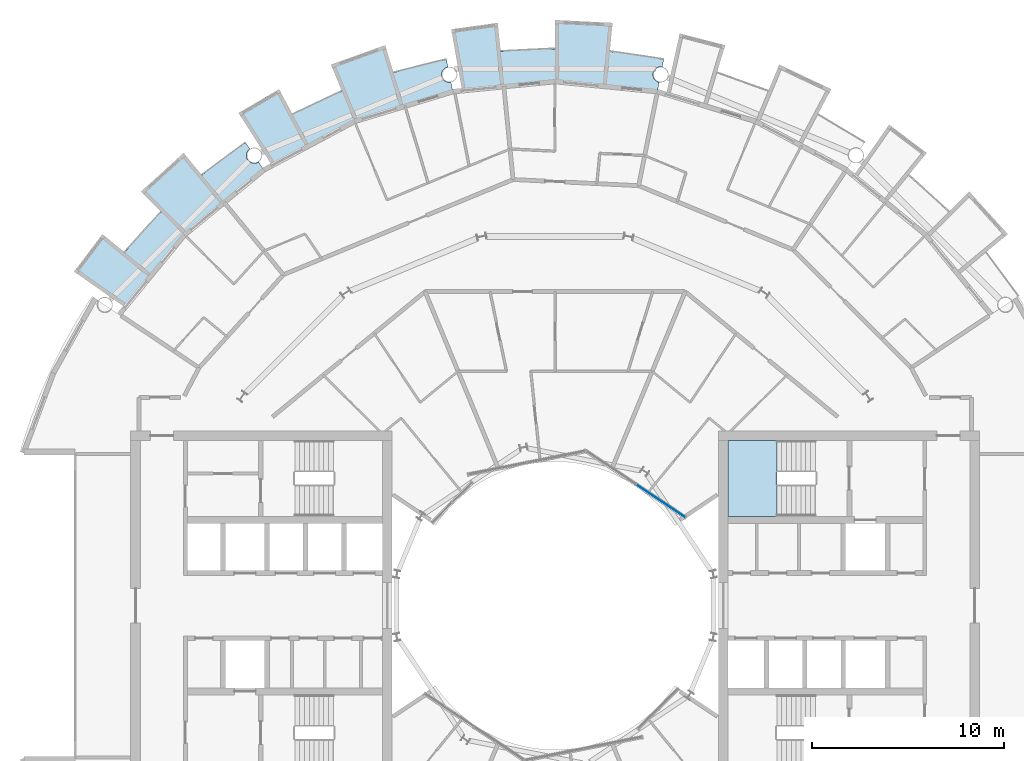
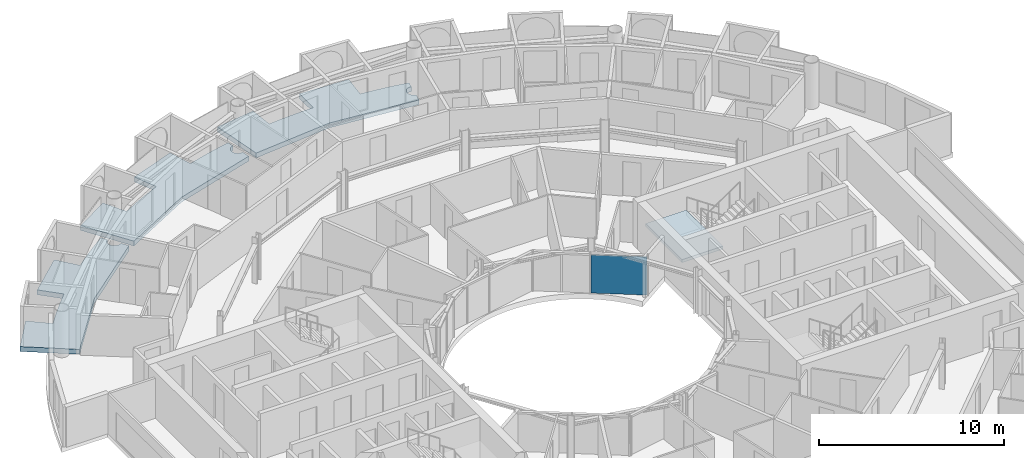
# One storey, part 12 of 26: 4 slabs, 1 plate, 2 elements without a shape of their own.
"""IFC4 building model written with IfcOpenShell, lengths in metres."""

from ifc_helpers import new_model, si_unit, direction, frame, origin, origin_2d, place, context, subcontext, project, spatial, polyline, rectangle, outline, extrude, material, layer, layer_set, type_object, element, aggregate, save


model = new_model("IFC4")

# Units and contexts
model_context = context("Model", 3, precision=1e-05, world=origin(), true_north=direction((0.0, 1.0)))
body_context = subcontext(model_context, "Body", "Model", "MODEL_VIEW")
ifc_project = project(units=[si_unit("LENGTHUNIT", "METRE"), si_unit("AREAUNIT", "SQUARE_METRE"), si_unit("VOLUMEUNIT", "CUBIC_METRE"), si_unit("PLANEANGLEUNIT", "RADIAN"), si_unit("MASSUNIT", "GRAM", prefix="KILO")], contexts=[model_context])

# Site, building, storey
site_placement = place(None, origin())
site = spatial("IfcSite", under=ifc_project, at=site_placement, CompositionType="ELEMENT")
building_placement = place(site_placement, origin())
building = spatial("IfcBuilding", under=site, at=building_placement, Name="Maasbend Ring Residences", CompositionType="ELEMENT")
storey_placement = place(building_placement, frame((0.0, 0.0, 176.85009765625)))
storey = spatial("IfcBuildingStorey", under=building, at=storey_placement, Name="L51", CompositionType="ELEMENT", Elevation=176.85009765625)

# Stair, slab
ifc_material_1 = material(Name="Concrete C40/50", Category="concrete")
stair_type = type_object("IfcStairType", Name="CORE STAIR 18 RISERS", PredefinedType="HALF_TURN_STAIR", material=ifc_material_1)
stair_placement = place(storey_placement, origin())
stair = element("IfcStair", 1, at=stair_placement, inside=storey, type_object=stair_type, Name="L51 Exit stair ST-E1", PredefinedType="HALF_TURN_STAIR")
ifc_material_2 = material(Name="Concrete C40/50", Category="concrete")
ifc_layer_1 = layer(ifc_material_2, 0.199951171875)
ifc_layer_set_1 = layer_set([ifc_layer_1], Name="Concrete C40/50")
slab_type_1 = type_object("IfcSlabType", Name="CORE STAIR LANDING 200", PredefinedType="LANDING", material=ifc_layer_set_1)
slab_1_placement = place(storey_placement, frame((0.0, 0.0, 1.324951171875)))
slab_1 = element("IfcSlab", 2, at=slab_1_placement, type_object=slab_type_1, Name="ST-E1 landing 1", PredefinedType="LANDING", context=body_context, shape_type="SweptSolid", body=[
    extrude(outline(polyline([(11.550048828125, 8.60009765625), (9.0, 8.60009765625), (9.0, 4.64990234375), (11.550048828125, 4.64990234375), (11.550048828125, 8.60009765625)])), origin(), (0.0, 0.0, 1.0), 0.199951171875),
])
aggregate(stair, [slab_1])

# Curtain wall, plate
ifc_material_3 = material(Name="Aluminium and clear glass", Category="aluminium")
ifc_layer_2 = layer(ifc_material_3, 0.179931640625)
ifc_layer_set_2 = layer_set([ifc_layer_2], Name="CW-W")
curtain_wall_type = type_object("IfcCurtainWallType", Name="CW-W", PredefinedType="NOTDEFINED", material=ifc_layer_set_2)
curtain_wall_placement = place(storey_placement, origin())
curtain_wall = element("IfcCurtainWall", 3, at=curtain_wall_placement, inside=storey, type_object=curtain_wall_type, Name="Well curtain wall N1", PredefinedType="NOTDEFINED")
ifc_material_4 = material(Name="Glass clear laminated", Category="glass")
ifc_layer_3 = layer(ifc_material_4, 0.031982421875)
ifc_layer_set_3 = layer_set([ifc_layer_3], Name="CWP-W")
plate_type = type_object("IfcPlateType", Name="CWP-W", PredefinedType="CURTAIN_PANEL", material=ifc_layer_set_3)
plate_placement = place(storey_placement, frame((5.51123046875, 5.44580078125, 0.0), z_axis=(0.0, 0.0, 1.0), x_axis=(-0.831469612303, 0.55557023302, 0.0)))
plate = element("IfcPlate", 4, at=plate_placement, type_object=plate_type, Name="Glass panel well face", PredefinedType="CURTAIN_PANEL", context=body_context, shape_type="SweptSolid", body=[
    extrude(rectangle(XDim=3.053955078125, YDim=0.031982421875, at=origin_2d()), origin(), (0.0, 0.0, 1.0), 2.530029296875),
])
aggregate(curtain_wall, [plate])

# Slabs
ifc_material_5 = material(Name="Concrete C40/50", Category="concrete")
ifc_layer_4 = layer(ifc_material_5, 0.199951171875)
ifc_layer_set_4 = layer_set([ifc_layer_4], Name="Concrete C40/50")
slab_type_2 = type_object("IfcSlabType", Name="SL-LOGGIA", PredefinedType="FLOOR", material=ifc_layer_set_4)
slab_2_placement = place(storey_placement, frame((0.0, 0.0, -0.35009765625)))
element("IfcSlab", 5, at=slab_2_placement, inside=storey, type_object=slab_type_2, Name="Loggia floor 2", PredefinedType="FLOOR", context=body_context, shape_type="SweptSolid", body=[
    extrude(outline(polyline([(-13.6708984375, 25.575927734375), (-13.6708984375, 25.575927734375), (-13.6708984375, 25.575927734375), (-13.6708984375, 25.575927734375), (-13.6708984375, 25.575927734375), (-13.6708984375, 25.575927734375), (-13.6708984375, 25.575927734375), (-13.669921875, 25.575927734375), (-13.669921875, 25.575927734375), (-13.669921875, 25.575927734375), (-13.669921875, 25.575927734375), (-13.669921875, 25.575927734375), (-13.669921875, 25.575927734375), (-13.669921875, 25.575927734375), (-13.669921875, 25.575927734375), (-13.669921875, 25.575927734375), (-13.669921875, 25.575927734375), (-12.825927734375, 26.009033203125), (-12.825927734375, 26.009033203125), (-11.968994140625, 26.4150390625), (-11.968994140625, 26.4150390625), (-11.097900390625, 26.7919921875), (-11.097900390625, 26.7919921875), (-11.097900390625, 26.7919921875), (-11.097900390625, 26.7919921875), (-11.097900390625, 26.7919921875), (-11.097900390625, 26.7919921875), (-11.097900390625, 26.7919921875), (-11.097900390625, 26.79296875), (-11.097900390625, 26.79296875), (-11.097900390625, 26.79296875), (-11.097900390625, 26.79296875), (-11.097900390625, 26.79296875), (-11.097900390625, 26.79296875), (-11.097900390625, 26.79296875), (-11.097900390625, 26.79296875), (-11.097900390625, 26.79296875), (-11.097900390625, 26.79296875), (-11.672119140625, 28.177978515625), (-11.672119140625, 28.177978515625), (-11.672119140625, 28.177978515625), (-8.85400390625, 29.18701171875), (-8.85400390625, 29.18701171875), (-8.85400390625, 29.18701171875), (-8.41796875, 27.751953125), (-8.41796875, 27.751953125), (-8.41796875, 27.751953125), (-8.41796875, 27.751953125), (-8.41796875, 27.751953125), (-8.41796875, 27.751953125), (-8.41796875, 27.751953125), (-8.41796875, 27.7509765625), (-8.41796875, 27.7509765625), (-8.41796875, 27.7509765625), (-8.41796875, 27.7509765625), (-8.41796875, 27.7509765625), (-8.41796875, 27.7509765625), (-8.41796875, 27.7509765625), (-8.41796875, 27.7509765625), (-8.41796875, 27.7509765625), (-8.41796875, 27.7509765625), (-7.506103515625, 28.011962890625), (-7.506103515625, 28.011962890625), (-6.5849609375, 28.241943359375), (-6.5849609375, 28.241943359375), (-5.657958984375, 28.443115234375), (-5.657958984375, 28.443115234375), (-5.657958984375, 28.443115234375), (-5.5810546875, 28.056884765625), (-5.591064453125, 28.054931640625), (-5.60009765625, 28.052001953125), (-5.610107421875, 28.050048828125), (-5.6201171875, 28.047119140625), (-5.62890625, 28.0439453125), (-5.637939453125, 28.041015625), (-5.64794921875, 28.037109375), (-5.656982421875, 28.033935546875), (-5.666015625, 28.030029296875), (-5.675048828125, 28.02587890625), (-5.68408203125, 28.02099609375), (-5.693115234375, 28.01708984375), (-5.701904296875, 28.011962890625), (-5.7099609375, 28.007080078125), (-5.718994140625, 28.001953125), (-5.72705078125, 27.99609375), (-5.736083984375, 27.989990234375), (-5.743896484375, 27.985107421875), (-5.751953125, 27.97900390625), (-5.759033203125, 27.971923828125), (-5.76708984375, 27.966064453125), (-5.77392578125, 27.958984375), (-5.781982421875, 27.952880859375), (-5.7890625, 27.946044921875), (-5.7958984375, 27.93798828125), (-5.802978515625, 27.930908203125), (-5.80908203125, 27.924072265625), (-5.81591796875, 27.916015625), (-5.822021484375, 27.907958984375), (-5.827880859375, 27.89990234375), (-5.833984375, 27.89208984375), (-5.839111328125, 27.884033203125), (-5.844970703125, 27.8759765625), (-5.85009765625, 27.866943359375), (-5.85498046875, 27.85791015625), (-5.860107421875, 27.85009765625), (-5.864990234375, 27.841064453125), (-5.868896484375, 27.83203125), (-5.873046875, 27.822998046875), (-5.876953125, 27.81396484375), (-5.881103515625, 27.803955078125), (-5.884033203125, 27.794921875), (-5.886962890625, 27.785888671875), (-5.889892578125, 27.77587890625), (-5.89306640625, 27.76708984375), (-5.89599609375, 27.757080078125), (-5.89794921875, 27.7470703125), (-5.89990234375, 27.737060546875), (-5.902099609375, 27.72802734375), (-5.904052734375, 27.718017578125), (-5.905029296875, 27.7080078125), (-5.906005859375, 27.697998046875), (-5.906982421875, 27.68798828125), (-5.907958984375, 27.677978515625), (-5.907958984375, 27.66796875), (-5.907958984375, 27.657958984375), (-5.907958984375, 27.64794921875), (-5.907958984375, 27.637939453125), (-5.906982421875, 27.6279296875), (-5.906005859375, 27.617919921875), (-5.905029296875, 27.60791015625), (-5.904052734375, 27.597900390625), (-5.902099609375, 27.589111328125), (-5.89990234375, 27.5791015625), (-5.89794921875, 27.569091796875), (-5.89599609375, 27.55908203125), (-5.89306640625, 27.550048828125), (-5.889892578125, 27.5400390625), (-5.886962890625, 27.531005859375), (-5.884033203125, 27.52099609375), (-5.881103515625, 27.511962890625), (-5.876953125, 27.5029296875), (-5.873046875, 27.492919921875), (-5.868896484375, 27.48388671875), (-5.864990234375, 27.47509765625), (-5.860107421875, 27.466064453125), (-5.85498046875, 27.4580078125), (-5.85009765625, 27.448974609375), (-5.844970703125, 27.44091796875), (-5.839111328125, 27.431884765625), (-5.833984375, 27.424072265625), (-5.827880859375, 27.416015625), (-5.822021484375, 27.407958984375), (-5.81591796875, 27.39990234375), (-5.80908203125, 27.39306640625), (-5.802978515625, 27.385009765625), (-5.7958984375, 27.3779296875), (-5.7890625, 27.37109375), (-5.781982421875, 27.364013671875), (-5.77392578125, 27.35693359375), (-5.76708984375, 27.35009765625), (-5.759033203125, 27.343994140625), (-5.751953125, 27.337890625), (-5.743896484375, 27.33203125), (-5.736083984375, 27.325927734375), (-5.72705078125, 27.320068359375), (-5.718994140625, 27.31494140625), (-5.7099609375, 27.30908203125), (-5.701904296875, 27.303955078125), (-5.693115234375, 27.300048828125), (-5.68408203125, 27.294921875), (-5.675048828125, 27.291015625), (-5.666015625, 27.285888671875), (-5.656982421875, 27.282958984375), (-5.64794921875, 27.279052734375), (-5.637939453125, 27.27490234375), (-5.62890625, 27.27197265625), (-5.6201171875, 27.26904296875), (-5.610107421875, 27.26611328125), (-5.60009765625, 27.263916015625), (-5.591064453125, 27.260986328125), (-5.5810546875, 27.259033203125), (-5.571044921875, 27.258056640625), (-5.56103515625, 27.256103515625), (-5.551025390625, 27.2548828125), (-5.541015625, 27.25390625), (-5.531005859375, 27.2529296875), (-5.52099609375, 27.251953125), (-5.510986328125, 27.251953125), (-5.501953125, 27.251953125), (-5.491943359375, 27.251953125), (-5.48193359375, 27.251953125), (-5.471923828125, 27.2529296875), (-5.4619140625, 27.25390625), (-5.451904296875, 27.2548828125), (-5.44189453125, 27.256103515625), (-5.431884765625, 27.258056640625), (-5.422119140625, 27.259033203125), (-5.325927734375, 26.77490234375), (-5.325927734375, 26.77490234375), (-5.325927734375, 26.77490234375), (-7.886962890625, 25.9990234375), (-10.447021484375, 25.221923828125), (-10.447021484375, 25.221923828125), (-10.447021484375, 25.221923828125), (-12.806884765625, 23.9609375), (-14.73291015625, 22.930908203125), (-14.73291015625, 22.930908203125), (-14.73291015625, 22.930908203125), (-16.487060546875, 25.659912109375), (-16.487060546875, 25.659912109375), (-16.487060546875, 25.659912109375), (-14.3779296875, 26.89892578125), (-14.3779296875, 26.89892578125), (-14.3779296875, 26.89892578125), (-13.6708984375, 25.575927734375)])), origin(), (0.0, 0.0, 1.0), 0.320068359375),
])
slab_3_placement = place(storey_placement, frame((0.0, 0.0, -0.35009765625)))
element("IfcSlab", 6, at=slab_3_placement, inside=storey, type_object=slab_type_2, Name="Loggia floor 3", PredefinedType="FLOOR", context=body_context, shape_type="SweptSolid", body=[
    extrude(outline(polyline([(-2.843017578125, 28.861083984375), (-2.843017578125, 28.861083984375), (-2.843017578125, 28.861083984375), (-2.843017578125, 28.861083984375), (-2.842041015625, 28.861083984375), (-2.842041015625, 28.861083984375), (-2.842041015625, 28.861083984375), (-2.842041015625, 28.861083984375), (-2.842041015625, 28.861083984375), (-2.842041015625, 28.860107421875), (-2.842041015625, 28.860107421875), (-2.842041015625, 28.860107421875), (-2.842041015625, 28.860107421875), (-2.842041015625, 28.860107421875), (-2.842041015625, 28.860107421875), (-2.842041015625, 28.860107421875), (-2.842041015625, 28.860107421875), (-1.89697265625, 28.93798828125), (-1.89697265625, 28.93798828125), (-0.948974609375, 28.98388671875), (-0.948974609375, 28.98388671875), (0.0, 29.0), (0.0, 29.0), (0.0, 29.0), (0.0, 29.0), (0.0, 29.0), (0.0, 29.0), (0.0, 29.0), (0.0, 29.0), (0.0, 29.0), (0.0, 29.0), (0.0, 29.0), (0.0, 29.0), (0.0, 29.0), (0.0, 29.0), (0.0, 29.0), (0.0, 29.0), (0.0, 29.0), (0.0, 30.5), (0.0, 30.5), (0.0, 30.5), (2.989990234375, 30.35302734375), (2.989990234375, 30.35302734375), (2.989990234375, 30.35302734375), (2.843017578125, 28.861083984375), (2.843017578125, 28.861083984375), (2.843017578125, 28.861083984375), (2.843017578125, 28.861083984375), (2.843017578125, 28.861083984375), (2.843017578125, 28.861083984375), (2.843017578125, 28.861083984375), (2.843017578125, 28.861083984375), (2.843017578125, 28.860107421875), (2.843017578125, 28.860107421875), (2.843017578125, 28.860107421875), (2.843017578125, 28.860107421875), (2.843017578125, 28.860107421875), (2.843017578125, 28.860107421875), (2.843017578125, 28.860107421875), (2.843017578125, 28.860107421875), (2.843017578125, 28.860107421875), (3.784912109375, 28.751953125), (3.784912109375, 28.751953125), (4.72412109375, 28.613037109375), (4.72412109375, 28.613037109375), (5.657958984375, 28.443115234375), (5.657958984375, 28.443115234375), (5.657958984375, 28.443115234375), (5.5810546875, 28.056884765625), (5.5810546875, 28.056884765625), (5.571044921875, 28.05908203125), (5.56103515625, 28.06005859375), (5.551025390625, 28.06201171875), (5.541015625, 28.06298828125), (5.531005859375, 28.06298828125), (5.52099609375, 28.06396484375), (5.510986328125, 28.06396484375), (5.501953125, 28.06494140625), (5.491943359375, 28.06396484375), (5.48193359375, 28.06396484375), (5.471923828125, 28.06298828125), (5.4619140625, 28.06298828125), (5.451904296875, 28.06201171875), (5.44189453125, 28.06005859375), (5.431884765625, 28.05908203125), (5.422119140625, 28.056884765625), (5.412109375, 28.054931640625), (5.403076171875, 28.052001953125), (5.39306640625, 28.050048828125), (5.383056640625, 28.047119140625), (5.3740234375, 28.0439453125), (5.364990234375, 28.041015625), (5.35498046875, 28.037109375), (5.345947265625, 28.033935546875), (5.3369140625, 28.030029296875), (5.327880859375, 28.02587890625), (5.319091796875, 28.02099609375), (5.31005859375, 28.01708984375), (5.301025390625, 28.011962890625), (5.29296875, 28.007080078125), (5.283935546875, 28.001953125), (5.27587890625, 27.99609375), (5.26708984375, 27.989990234375), (5.259033203125, 27.985107421875), (5.2509765625, 27.97900390625), (5.243896484375, 27.971923828125), (5.236083984375, 27.966064453125), (5.22900390625, 27.958984375), (5.220947265625, 27.952880859375), (5.214111328125, 27.946044921875), (5.20703125, 27.93798828125), (5.199951171875, 27.930908203125), (5.194091796875, 27.924072265625), (5.18701171875, 27.916015625), (5.180908203125, 27.907958984375), (5.175048828125, 27.89990234375), (5.1689453125, 27.89208984375), (5.1640625, 27.884033203125), (5.157958984375, 27.8759765625), (5.153076171875, 27.866943359375), (5.14794921875, 27.85791015625), (5.14306640625, 27.85009765625), (5.137939453125, 27.841064453125), (5.134033203125, 27.83203125), (5.1298828125, 27.822998046875), (5.1259765625, 27.81396484375), (5.1220703125, 27.803955078125), (5.118896484375, 27.794921875), (5.115966796875, 27.785888671875), (5.113037109375, 27.77587890625), (5.110107421875, 27.76708984375), (5.10693359375, 27.757080078125), (5.10498046875, 27.7470703125), (5.10302734375, 27.737060546875), (5.10107421875, 27.72802734375), (5.09912109375, 27.718017578125), (5.097900390625, 27.7080078125), (5.096923828125, 27.697998046875), (5.095947265625, 27.68798828125), (5.094970703125, 27.677978515625), (5.094970703125, 27.66796875), (5.094970703125, 27.657958984375), (5.094970703125, 27.64794921875), (5.094970703125, 27.637939453125), (5.095947265625, 27.6279296875), (5.096923828125, 27.617919921875), (5.097900390625, 27.60791015625), (5.09912109375, 27.597900390625), (5.10107421875, 27.589111328125), (5.10302734375, 27.5791015625), (5.10498046875, 27.569091796875), (5.10693359375, 27.55908203125), (5.110107421875, 27.550048828125), (5.113037109375, 27.5400390625), (5.115966796875, 27.531005859375), (5.118896484375, 27.52099609375), (5.1220703125, 27.511962890625), (5.1259765625, 27.5029296875), (5.1298828125, 27.492919921875), (5.134033203125, 27.48388671875), (5.137939453125, 27.47509765625), (5.14306640625, 27.466064453125), (5.14794921875, 27.4580078125), (5.153076171875, 27.448974609375), (5.157958984375, 27.44091796875), (5.1640625, 27.431884765625), (5.1689453125, 27.424072265625), (5.175048828125, 27.416015625), (5.180908203125, 27.407958984375), (5.18701171875, 27.39990234375), (5.194091796875, 27.39306640625), (5.199951171875, 27.385009765625), (5.20703125, 27.3779296875), (5.214111328125, 27.37109375), (5.220947265625, 27.364013671875), (5.22900390625, 27.35693359375), (5.236083984375, 27.35009765625), (5.243896484375, 27.343994140625), (5.2509765625, 27.337890625), (5.259033203125, 27.33203125), (5.26708984375, 27.325927734375), (5.27587890625, 27.320068359375), (5.283935546875, 27.31494140625), (5.29296875, 27.30908203125), (5.301025390625, 27.303955078125), (5.31005859375, 27.300048828125), (5.319091796875, 27.294921875), (5.327880859375, 27.291015625), (5.3369140625, 27.285888671875), (5.345947265625, 27.282958984375), (5.35498046875, 27.279052734375), (5.364990234375, 27.27490234375), (5.3740234375, 27.27197265625), (5.383056640625, 27.26904296875), (5.39306640625, 27.26611328125), (5.403076171875, 27.263916015625), (5.412109375, 27.260986328125), (5.422119140625, 27.259033203125), (5.422119140625, 27.259033203125), (5.325927734375, 26.77490234375), (5.325927734375, 26.77490234375), (5.325927734375, 26.77490234375), (2.6630859375, 27.0380859375), (0.0, 27.300048828125), (0.0, 27.300048828125), (0.0, 27.300048828125), (-2.6630859375, 27.0380859375), (-4.8359375, 26.823974609375), (-4.8359375, 26.823974609375), (-4.8359375, 26.823974609375), (-5.412109375, 30.01611328125), (-5.412109375, 30.01611328125), (-5.412109375, 30.01611328125), (-2.989990234375, 30.35302734375), (-2.989990234375, 30.35302734375), (-2.989990234375, 30.35302734375), (-2.843017578125, 28.861083984375)])), origin(), (0.0, 0.0, 1.0), 0.320068359375),
])
slab_4_placement = place(storey_placement, frame((0.0, 0.0, -0.35009765625)))
element("IfcSlab", 7, at=slab_4_placement, inside=storey, type_object=slab_type_2, Name="Loggia floor 5", PredefinedType="FLOOR", context=body_context, shape_type="SweptSolid", body=[
    extrude(outline(polyline([(-22.41796875, 18.39794921875), (-22.41796875, 18.39794921875), (-22.41796875, 18.39794921875), (-22.41796875, 18.39794921875), (-22.41796875, 18.39794921875), (-22.4169921875, 18.39794921875), (-22.4169921875, 18.39794921875), (-22.4169921875, 18.39794921875), (-22.4169921875, 18.39794921875), (-22.4169921875, 18.39794921875), (-22.4169921875, 18.39794921875), (-22.4169921875, 18.39794921875), (-22.4169921875, 18.39794921875), (-22.4169921875, 18.39794921875), (-22.4169921875, 18.39794921875), (-22.4169921875, 18.39794921875), (-22.4169921875, 18.39794921875), (-21.802978515625, 19.12109375), (-21.802978515625, 19.12109375), (-21.166015625, 19.823974609375), (-21.166015625, 19.823974609375), (-20.506103515625, 20.506103515625), (-20.506103515625, 20.506103515625), (-20.506103515625, 20.506103515625), (-20.506103515625, 20.506103515625), (-20.506103515625, 20.506103515625), (-20.506103515625, 20.506103515625), (-20.506103515625, 20.506103515625), (-20.506103515625, 20.506103515625), (-20.506103515625, 20.506103515625), (-20.506103515625, 20.506103515625), (-20.506103515625, 20.506103515625), (-20.506103515625, 20.506103515625), (-20.506103515625, 20.506103515625), (-20.506103515625, 20.506103515625), (-20.506103515625, 20.506103515625), (-20.506103515625, 20.506103515625), (-20.506103515625, 20.506103515625), (-21.56689453125, 21.56689453125), (-21.56689453125, 21.56689453125), (-21.56689453125, 21.56689453125), (-19.34912109375, 23.576904296875), (-19.34912109375, 23.576904296875), (-19.34912109375, 23.576904296875), (-18.39794921875, 22.41796875), (-18.39794921875, 22.41796875), (-18.39794921875, 22.41796875), (-18.39794921875, 22.41796875), (-18.39794921875, 22.41796875), (-18.39794921875, 22.41796875), (-18.39697265625, 22.41796875), (-18.39697265625, 22.41796875), (-18.39697265625, 22.41796875), (-18.39697265625, 22.41796875), (-18.39697265625, 22.41796875), (-18.39697265625, 22.41796875), (-18.39697265625, 22.41796875), (-18.39697265625, 22.41796875), (-18.39697265625, 22.41796875), (-18.39697265625, 22.41796875), (-18.39697265625, 22.41796875), (-17.654052734375, 23.007080078125), (-17.654052734375, 23.007080078125), (-16.89208984375, 23.572998046875), (-16.89208984375, 23.572998046875), (-16.112060546875, 24.113037109375), (-16.112060546875, 24.113037109375), (-16.112060546875, 24.113037109375), (-15.89306640625, 23.784912109375), (-15.89306640625, 23.784912109375), (-15.90087890625, 23.780029296875), (-15.908935546875, 23.77392578125), (-15.9169921875, 23.76806640625), (-15.925048828125, 23.761962890625), (-15.93310546875, 23.7548828125), (-15.93994140625, 23.7490234375), (-15.947021484375, 23.741943359375), (-15.955078125, 23.735107421875), (-15.9619140625, 23.72802734375), (-15.968017578125, 23.719970703125), (-15.97509765625, 23.712890625), (-15.98095703125, 23.705078125), (-15.988037109375, 23.697021484375), (-15.993896484375, 23.68994140625), (-15.9990234375, 23.680908203125), (-16.0048828125, 23.673095703125), (-16.010986328125, 23.6650390625), (-16.01611328125, 23.656005859375), (-16.02099609375, 23.64794921875), (-16.02587890625, 23.638916015625), (-16.030029296875, 23.6298828125), (-16.034912109375, 23.62109375), (-16.0390625, 23.612060546875), (-16.04296875, 23.60302734375), (-16.0458984375, 23.593994140625), (-16.050048828125, 23.583984375), (-16.052978515625, 23.574951171875), (-16.055908203125, 23.56494140625), (-16.05908203125, 23.555908203125), (-16.06103515625, 23.5458984375), (-16.06396484375, 23.535888671875), (-16.06591796875, 23.527099609375), (-16.068115234375, 23.51708984375), (-16.069091796875, 23.507080078125), (-16.071044921875, 23.4970703125), (-16.072021484375, 23.487060546875), (-16.072021484375, 23.47705078125), (-16.072998046875, 23.467041015625), (-16.072998046875, 23.45703125), (-16.073974609375, 23.447021484375), (-16.072998046875, 23.43701171875), (-16.072998046875, 23.427001953125), (-16.072021484375, 23.4169921875), (-16.072021484375, 23.407958984375), (-16.071044921875, 23.39794921875), (-16.069091796875, 23.387939453125), (-16.068115234375, 23.3779296875), (-16.06591796875, 23.367919921875), (-16.06396484375, 23.35791015625), (-16.06103515625, 23.34912109375), (-16.05908203125, 23.339111328125), (-16.055908203125, 23.3291015625), (-16.052978515625, 23.320068359375), (-16.050048828125, 23.31005859375), (-16.0458984375, 23.301025390625), (-16.04296875, 23.2919921875), (-16.0390625, 23.282958984375), (-16.034912109375, 23.27392578125), (-16.030029296875, 23.264892578125), (-16.02587890625, 23.256103515625), (-16.02099609375, 23.2470703125), (-16.01611328125, 23.238037109375), (-16.010986328125, 23.22998046875), (-16.0048828125, 23.221923828125), (-15.9990234375, 23.212890625), (-15.993896484375, 23.205078125), (-15.988037109375, 23.197021484375), (-15.98095703125, 23.18994140625), (-15.97509765625, 23.181884765625), (-15.968017578125, 23.174072265625), (-15.9619140625, 23.1669921875), (-15.955078125, 23.159912109375), (-15.947021484375, 23.153076171875), (-15.93994140625, 23.14599609375), (-15.93310546875, 23.139892578125), (-15.925048828125, 23.133056640625), (-15.9169921875, 23.126953125), (-15.908935546875, 23.12109375), (-15.90087890625, 23.114990234375), (-15.89306640625, 23.10888671875), (-15.885009765625, 23.10400390625), (-15.8759765625, 23.09912109375), (-15.866943359375, 23.093994140625), (-15.85888671875, 23.089111328125), (-15.85009765625, 23.083984375), (-15.841064453125, 23.080078125), (-15.83203125, 23.075927734375), (-15.822998046875, 23.072021484375), (-15.81298828125, 23.068115234375), (-15.803955078125, 23.06494140625), (-15.794921875, 23.06103515625), (-15.784912109375, 23.05810546875), (-15.77587890625, 23.055908203125), (-15.76611328125, 23.052978515625), (-15.756103515625, 23.051025390625), (-15.74609375, 23.049072265625), (-15.737060546875, 23.047119140625), (-15.72705078125, 23.044921875), (-15.717041015625, 23.0439453125), (-15.70703125, 23.04296875), (-15.697021484375, 23.0419921875), (-15.68701171875, 23.041015625), (-15.677001953125, 23.041015625), (-15.6669921875, 23.041015625), (-15.656982421875, 23.041015625), (-15.64697265625, 23.041015625), (-15.636962890625, 23.0419921875), (-15.626953125, 23.04296875), (-15.616943359375, 23.0439453125), (-15.60693359375, 23.044921875), (-15.597900390625, 23.047119140625), (-15.587890625, 23.049072265625), (-15.577880859375, 23.051025390625), (-15.568115234375, 23.052978515625), (-15.55908203125, 23.055908203125), (-15.549072265625, 23.05810546875), (-15.5400390625, 23.06103515625), (-15.530029296875, 23.06494140625), (-15.52099609375, 23.068115234375), (-15.511962890625, 23.072021484375), (-15.501953125, 23.075927734375), (-15.492919921875, 23.080078125), (-15.48388671875, 23.083984375), (-15.47509765625, 23.089111328125), (-15.467041015625, 23.093994140625), (-15.4580078125, 23.09912109375), (-15.449951171875, 23.10400390625), (-15.44091796875, 23.10888671875), (-15.44091796875, 23.10888671875), (-15.1669921875, 22.698974609375), (-15.1669921875, 22.698974609375), (-15.1669921875, 22.698974609375), (-17.236083984375, 21.001953125), (-19.303955078125, 19.303955078125), (-19.303955078125, 19.303955078125), (-19.303955078125, 19.303955078125), (-21.001953125, 17.236083984375), (-22.386962890625, 15.547119140625), (-22.386962890625, 15.547119140625), (-22.386962890625, 15.547119140625), (-25.051025390625, 17.39794921875), (-25.051025390625, 17.39794921875), (-25.051025390625, 17.39794921875), (-23.576904296875, 19.34912109375), (-23.576904296875, 19.34912109375), (-23.576904296875, 19.34912109375), (-22.41796875, 18.39794921875)])), origin(), (0.0, 0.0, 1.0), 0.320068359375),
])

save(model, "model.ifc")
